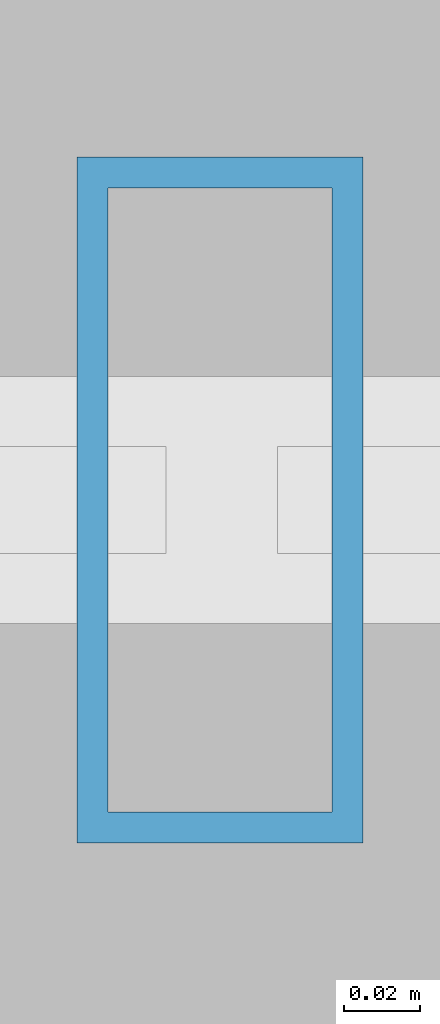
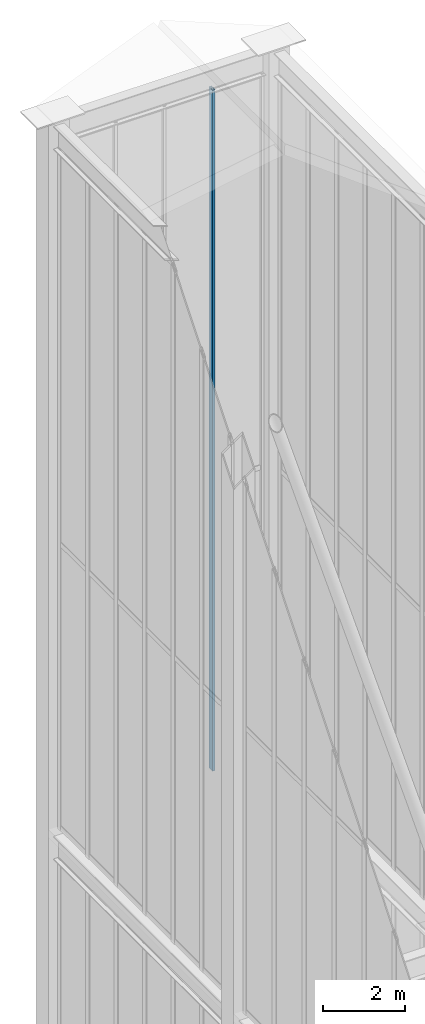
# One storey, part 118 of 135: 1 member, 1 element without a shape of its own.
"""IFC4 building model written with IfcOpenShell, lengths in metres."""

from ifc_helpers import new_model, si_unit, direction, frame, origin, origin_2d, place, context, subcontext, project, spatial, hollow_rectangle, extrude, source, transform, mapped, material, layer, layer_set, material_profile, profile_set, type_object, element, aggregate, save


model = new_model("IFC4")

# Units and contexts
model_context = context("Model", 3, precision=1e-05, world=origin(), true_north=direction((0.0, 1.0)))
body_context = subcontext(model_context, "Body", "Model", "MODEL_VIEW")
ifc_project = project(units=[si_unit("LENGTHUNIT", "METRE"), si_unit("AREAUNIT", "SQUARE_METRE"), si_unit("VOLUMEUNIT", "CUBIC_METRE"), si_unit("PLANEANGLEUNIT", "RADIAN"), si_unit("MASSUNIT", "GRAM", prefix="KILO")], contexts=[model_context])

# Site, building, storey
site_placement = place(None, origin())
site = spatial("IfcSite", under=ifc_project, at=site_placement, CompositionType="ELEMENT")
building_placement = place(site_placement, origin())
building = spatial("IfcBuilding", under=site, at=building_placement, Name="Giltprow Tower", CompositionType="ELEMENT")
storey_placement = place(building_placement, frame((0.0, 0.0, 352.699951171875)))
storey = spatial("IfcBuildingStorey", under=building, at=storey_placement, Name="L92", CompositionType="ELEMENT", Elevation=352.699951171875)

# Curtain wall, member
ifc_material = material(Name="Anodized bronze", Category="metal")
ifc_layer = layer(ifc_material, 0.179931640625, Name="Anodized bronze")
ifc_layer_set = layer_set([ifc_layer], Name="Anodized bronze")
curtain_wall_type = type_object("IfcCurtainWallType", Name="CW-CROWN-LANTERN", PredefinedType="NOTDEFINED", material=ifc_layer_set)
curtain_wall_placement = place(storey_placement, origin())
curtain_wall = element("IfcCurtainWall", 1, at=curtain_wall_placement, inside=storey, type_object=curtain_wall_type, Name="Crown East Upper Lantern Glazing 4", PredefinedType="NOTDEFINED")
ifc_material_profile = material_profile(ifc_material, hollow_rectangle(XDim=0.074951171875, YDim=0.179931640625, WallThickness=0.008056640625, at=origin_2d()), Name="RHS 180x75x8")
ifc_profile_set = profile_set([ifc_material_profile], Name="Anodized bronze")
member_type = type_object("IfcMemberType", Name="CW-MULLION-180x75", PredefinedType="MULLION", material=ifc_profile_set)
shared_shape = source(origin(), body_context, "Body", "SweptSolid", [
    extrude(hollow_rectangle(XDim=0.074951171875, YDim=0.179931640625, WallThickness=0.008056640625, at=origin_2d()), origin(), (0.0, 0.0, 1.0), 20.406005859375),
])
member_placement = place(storey_placement, frame((48.81201171875, 46.550048828125, 17.25), z_axis=(0.0, 0.0, 1.0), x_axis=(1.0, 0.0, 0.0)))
member = element("IfcMember", 2, at=member_placement, type_object=member_type, Name="Crown East Upper Lantern Glazing 4 Mullion 2", PredefinedType="MULLION", context=body_context, shape_type="MappedRepresentation", body=[
    mapped(shared_shape, transform((0.0, 0.0, 0.0), x_axis=(1.0, 0.0, 0.0), y_axis=(0.0, 1.0, 0.0), z_axis=(0.0, 0.0, 1.0), scale=1.0)),
])
aggregate(curtain_wall, [member])

save(model, "model.ifc")
